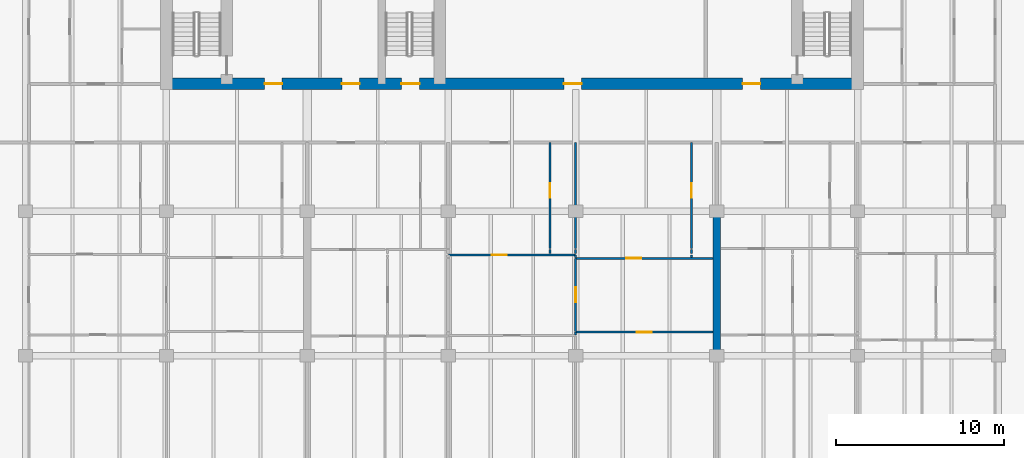
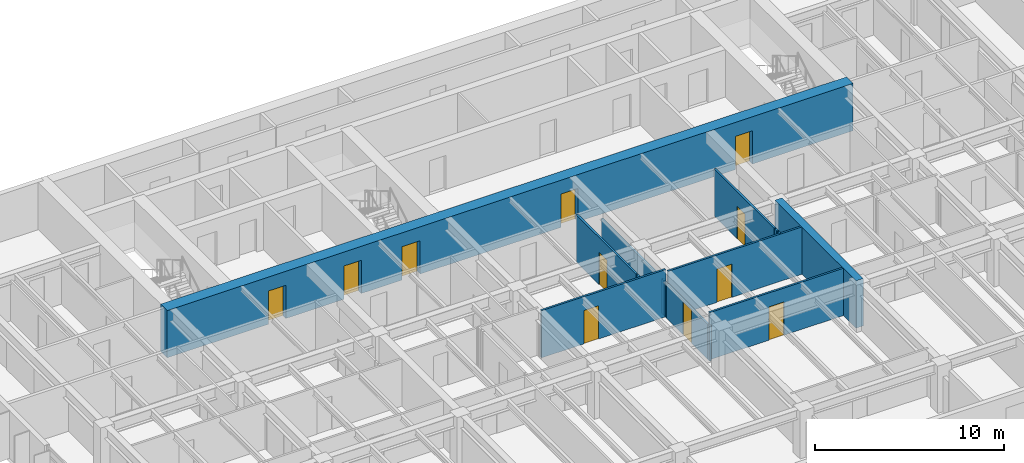
# One storey, part 11 of 19: 15 walls, 11 doors, 11 openings.
"""IFC4 building model written with IfcOpenShell, lengths in metres."""

from ifc_helpers import new_model, si_unit, direction, frame, frame_2d, origin, place, context, subcontext, project, spatial, rectangle, extrude, material, layer, layer_set, type_object, element, fill, save


model = new_model("IFC4")

# Units and contexts
model_context = context("Model", 3, precision=1e-05, world=origin(), true_north=direction((0.0, 1.0)))
body_context = subcontext(model_context, "Body", "Model", "MODEL_VIEW")
ifc_project = project(units=[si_unit("LENGTHUNIT", "METRE"), si_unit("AREAUNIT", "SQUARE_METRE"), si_unit("VOLUMEUNIT", "CUBIC_METRE"), si_unit("PLANEANGLEUNIT", "RADIAN"), si_unit("MASSUNIT", "GRAM", prefix="KILO")], contexts=[model_context])

# Site, building, storey
site_placement = place(None, origin())
site = spatial("IfcSite", under=ifc_project, at=site_placement, CompositionType="ELEMENT")
building_placement = place(site_placement, origin())
building = spatial("IfcBuilding", under=site, at=building_placement, Name="Caelmar Bay Residences", CompositionType="ELEMENT")
storey_placement = place(building_placement, frame((0.0, 0.0, 188.39990234375)))
storey = spatial("IfcBuildingStorey", under=building, at=storey_placement, Name="L52", CompositionType="ELEMENT", Elevation=188.39990234375)

# Wall, openings, doors
ifc_material_1 = material(Name="Concrete f'c 55 MPa (8,000 psi)", Category="concrete")
ifc_layer_1 = layer(ifc_material_1, 0.699951171875)
ifc_layer_set_1 = layer_set([ifc_layer_1], Name="Concrete f'c 55 MPa (8,000 psi)")
wall_type_1 = type_object("IfcWallType", Name="SW-COR-700", PredefinedType="SHEAR", material=ifc_layer_set_1)
wall_1_placement = place(storey_placement, frame((17.949951171875, 37.0, 0.0), z_axis=(0.0, 0.0, 1.0), x_axis=(1.0, 0.0, 0.0)))
wall_1 = element("IfcWall", 1, at=wall_1_placement, inside=storey, type_object=wall_type_1, Name="L52 Rear Core South Shear Wall", PredefinedType="SHEAR", context=body_context, shape_type="SweptSolid", body=[
    extrude(rectangle(XDim=41.900146484375, YDim=0.699951171875, at=frame_2d((20.9501953125, 0.0))), origin(), (0.0, 0.0, 1.0), 3.050048828125),
])
opening_1_placement = place(wall_1_placement, frame((14.35009765625, 0.0, 0.0)))
opening_1 = element("IfcOpeningElement", 2, at=opening_1_placement, cuts=wall_1, Name="Opening D-L52-105", PredefinedType="OPENING", context=body_context, shape_type="SweptSolid", body=[
    extrude(rectangle(XDim=1.10009765625, YDim=2.14990234375, at=frame_2d((0.550048828125, 1.074951171875))), frame((0.0, 0.35986328125, 0.0), z_axis=(0.0, -1.0, 0.0), x_axis=(1.0, 0.0, 0.0)), (0.0, 0.0, 1.0), 0.719970703125),
])
opening_2_placement = place(wall_1_placement, frame((6.199951171875, 0.0, 0.0)))
opening_2 = element("IfcOpeningElement", 3, at=opening_2_placement, cuts=wall_1, Name="Opening D-L52-106", PredefinedType="OPENING", context=body_context, shape_type="SweptSolid", body=[
    extrude(rectangle(XDim=1.050048828125, YDim=2.14990234375, at=frame_2d((0.52490234375, 1.074951171875))), frame((0.0, 0.35986328125, 0.0), z_axis=(0.0, -1.0, 0.0), x_axis=(1.0, 0.0, 0.0)), (0.0, 0.0, 1.0), 0.719970703125),
])
opening_3_placement = place(wall_1_placement, frame((34.699951171875, 0.0, 0.0)))
opening_3 = element("IfcOpeningElement", 4, at=opening_3_placement, cuts=wall_1, Name="Opening D-L52-109", PredefinedType="OPENING", context=body_context, shape_type="SweptSolid", body=[
    extrude(rectangle(XDim=1.050048828125, YDim=2.14990234375, at=frame_2d((0.52490234375, 1.074951171875))), frame((0.0, 0.35986328125, 0.0), z_axis=(0.0, -1.0, 0.0), x_axis=(1.0, 0.0, 0.0)), (0.0, 0.0, 1.0), 0.719970703125),
])
opening_4_placement = place(wall_1_placement, frame((10.8125, 0.0, 0.0)))
opening_4 = element("IfcOpeningElement", 5, at=opening_4_placement, cuts=wall_1, Name="Opening D-L52-112", PredefinedType="OPENING", context=body_context, shape_type="SweptSolid", body=[
    extrude(rectangle(XDim=1.050048828125, YDim=2.14990234375, at=frame_2d((0.52490234375, 1.074951171875))), frame((0.0, 0.35986328125, 0.0), z_axis=(0.0, -1.0, 0.0), x_axis=(1.0, 0.0, 0.0)), (0.0, 0.0, 1.0), 0.719970703125),
])
opening_5_placement = place(wall_1_placement, frame((24.050048828125, 0.0, 0.0)))
opening_5 = element("IfcOpeningElement", 6, at=opening_5_placement, cuts=wall_1, Name="Opening D-L52-113", PredefinedType="OPENING", context=body_context, shape_type="SweptSolid", body=[
    extrude(rectangle(XDim=1.050048828125, YDim=2.14990234375, at=frame_2d((0.52490234375, 1.074951171875))), frame((0.0, 0.35986328125, 0.0), z_axis=(0.0, -1.0, 0.0), x_axis=(1.0, 0.0, 0.0)), (0.0, 0.0, 1.0), 0.719970703125),
])
ifc_material_2 = material(Name="Fire-rated steel and walnut architectural door assembly", Category="steel")
ifc_layer_2 = layer(ifc_material_2, 0.050048828125)
ifc_layer_set_2 = layer_set([ifc_layer_2], Name="Fire-rated steel and walnut architectural door assembly")
door_type_1 = type_object("IfcDoorType", Name="D-FSAE-1050", OperationType="NOTDEFINED", PredefinedType="DOOR", material=ifc_layer_set_2)
door_1_placement = place(opening_2_placement, origin())
door_1 = element("IfcDoor", 7, at=door_1_placement, inside=storey, type_object=door_type_1, Name="L52 Firefighting Lobby West Door", OperationType="SINGLE_SWING_RIGHT", OverallHeight=2.14990234375, OverallWidth=1.050048828125, PredefinedType="DOOR", context=body_context, shape_type="SweptSolid", body=[
    extrude(rectangle(XDim=1.050048828125, YDim=2.14990234375, at=frame_2d((0.52490234375, 1.074951171875))), frame((0.0, 0.02490234375, 0.0), z_axis=(0.0, -1.0, 0.0), x_axis=(1.0, 0.0, 0.0)), (0.0, 0.0, 1.0), 0.050048828125),
])
fill(opening_2, door_1)
door_2_placement = place(opening_3_placement, origin())
door_2 = element("IfcDoor", 8, at=door_2_placement, inside=storey, type_object=door_type_1, Name="L52 Firefighting Lobby East Door", OperationType="SINGLE_SWING_LEFT", OverallHeight=2.14990234375, OverallWidth=1.050048828125, PredefinedType="DOOR", context=body_context, shape_type="SweptSolid", body=[
    extrude(rectangle(XDim=1.050048828125, YDim=2.14990234375, at=frame_2d((0.52490234375, 1.074951171875))), frame((0.0, 0.02490234375, 0.0), z_axis=(0.0, -1.0, 0.0), x_axis=(1.0, 0.0, 0.0)), (0.0, 0.0, 1.0), 0.050048828125),
])
fill(opening_3, door_2)
door_3_placement = place(opening_4_placement, origin())
door_3 = element("IfcDoor", 9, at=door_3_placement, inside=storey, type_object=door_type_1, Name="L52 West Lift Lobby Door", OperationType="SINGLE_SWING_RIGHT", OverallHeight=2.14990234375, OverallWidth=1.050048828125, PredefinedType="DOOR", context=body_context, shape_type="SweptSolid", body=[
    extrude(rectangle(XDim=1.050048828125, YDim=2.14990234375, at=frame_2d((0.52490234375, 1.074951171875))), frame((0.0, 0.02490234375, 0.0), z_axis=(0.0, -1.0, 0.0), x_axis=(1.0, 0.0, 0.0)), (0.0, 0.0, 1.0), 0.050048828125),
])
fill(opening_4, door_3)
door_4_placement = place(opening_5_placement, origin())
door_4 = element("IfcDoor", 10, at=door_4_placement, inside=storey, type_object=door_type_1, Name="L52 Passenger Lift Lobby Door", OperationType="SINGLE_SWING_LEFT", OverallHeight=2.14990234375, OverallWidth=1.050048828125, PredefinedType="DOOR", context=body_context, shape_type="SweptSolid", body=[
    extrude(rectangle(XDim=1.050048828125, YDim=2.14990234375, at=frame_2d((0.52490234375, 1.074951171875))), frame((0.0, 0.02490234375, 0.0), z_axis=(0.0, -1.0, 0.0), x_axis=(1.0, 0.0, 0.0)), (0.0, 0.0, 1.0), 0.050048828125),
])
fill(opening_5, door_4)
ifc_layer_3 = layer(ifc_material_2, 0.050048828125)
ifc_layer_set_3 = layer_set([ifc_layer_3], Name="Fire-rated steel and walnut architectural door assembly")
door_type_2 = type_object("IfcDoorType", Name="D-STAIR-1100", OperationType="NOTDEFINED", PredefinedType="DOOR", material=ifc_layer_set_3)
door_5_placement = place(opening_1_placement, origin())
door_5 = element("IfcDoor", 11, at=door_5_placement, inside=storey, type_object=door_type_2, Name="L52 Exit Stair ST3 Door", OperationType="SINGLE_SWING_LEFT", OverallHeight=2.14990234375, OverallWidth=1.10009765625, PredefinedType="DOOR", context=body_context, shape_type="SweptSolid", body=[
    extrude(rectangle(XDim=1.10009765625, YDim=2.14990234375, at=frame_2d((0.550048828125, 1.074951171875))), frame((0.0, 0.02490234375, 0.0), z_axis=(0.0, -1.0, 0.0), x_axis=(1.0, 0.0, 0.0)), (0.0, 0.0, 1.0), 0.050048828125),
])
fill(opening_1, door_5)

# Walls
ifc_layer_4 = layer(ifc_material_1, 0.449951171875)
ifc_layer_set_4 = layer_set([ifc_layer_4], Name="Concrete f'c 55 MPa (8,000 psi)")
wall_type_2 = type_object("IfcWallType", Name="SW-XSLB-450", PredefinedType="SHEAR", material=ifc_layer_set_4)
wall_2_placement = place(storey_placement, frame((51.10009765625, 20.800048828125, 0.0), z_axis=(0.0, 0.0, 1.0), x_axis=(0.0, 1.0, 0.0)))
element("IfcWall", 12, at=wall_2_placement, inside=storey, type_object=wall_type_2, Name="L52 Transverse Cross-Slab Shear Wall E8", PredefinedType="SHEAR", context=body_context, shape_type="SweptSolid", body=[
    extrude(rectangle(XDim=8.599853515625, YDim=0.449951171875, at=frame_2d((4.2998046875, 0.0))), origin(), (0.0, 0.0, 1.0), 3.050048828125),
])
ifc_material_3 = material(Name="Acoustic metal-stud gypsum partition 120 mm")
ifc_layer_5 = layer(ifc_material_3, 0.1201171875)
ifc_layer_set_5 = layer_set([ifc_layer_5], Name="Acoustic metal-stud gypsum partition 120 mm")
wall_type_3 = type_object("IfcWallType", Name="W-PRT-120", PredefinedType="PARTITIONING", material=ifc_layer_set_5)
wall_3_placement = place(storey_placement, frame((41.1630859375, 26.8798828125, 0.0), z_axis=(0.0, 0.0, 1.0), x_axis=(0.0, 1.0, 0.0)))
element("IfcWall", 13, at=wall_3_placement, inside=storey, type_object=wall_type_3, Name="L52 Partition Wall V048", PredefinedType="PARTITIONING", context=body_context, shape_type="SweptSolid", body=[
    extrude(rectangle(XDim=0.240234375, YDim=0.1201171875, at=frame_2d((0.1201171875, 0.0))), origin(), (0.0, 0.0, 1.0), 3.050048828125),
])

# Wall, opening, door
wall_4_placement = place(storey_placement, frame((41.1630859375, 27.179931640625, 0.0), z_axis=(0.0, 0.0, 1.0), x_axis=(0.0, 1.0, 0.0)))
wall_4 = element("IfcWall", 14, at=wall_4_placement, inside=storey, type_object=wall_type_3, Name="L52 Partition Wall V049", PredefinedType="PARTITIONING", context=body_context, shape_type="SweptSolid", body=[
    extrude(rectangle(XDim=6.320068359375, YDim=0.1201171875, at=frame_2d((3.16015625, 0.0))), origin(), (0.0, 0.0, 1.0), 3.050048828125),
])
opening_6_placement = place(wall_4_placement, frame((3.034912109375, 0.0, 0.0)))
opening_6 = element("IfcOpeningElement", 15, at=opening_6_placement, cuts=wall_4, Name="Opening D-L52-140", PredefinedType="OPENING", context=body_context, shape_type="SweptSolid", body=[
    extrude(rectangle(XDim=0.85009765625, YDim=2.10009765625, at=frame_2d((0.425048828125, 1.050048828125))), frame((0.0, 0.070068359375, 0.0), z_axis=(0.0, -1.0, 0.0), x_axis=(1.0, 0.0, 0.0)), (0.0, 0.0, 1.0), 0.14013671875),
])
ifc_material_4 = material(Name="Solid walnut timber interior door leaf and frame", Category="wood")
ifc_layer_6 = layer(ifc_material_4, 0.050048828125)
ifc_layer_set_6 = layer_set([ifc_layer_6], Name="Solid walnut timber interior door leaf and frame")
door_type_3 = type_object("IfcDoorType", Name="D-BATH-850", OperationType="NOTDEFINED", PredefinedType="DOOR", material=ifc_layer_set_6)
door_6_placement = place(opening_6_placement, origin())
door_6 = element("IfcDoor", 16, at=door_6_placement, inside=storey, type_object=door_type_3, Name="L52 Residence 03 Guest Bathroom Door", OperationType="SINGLE_SWING_RIGHT", OverallHeight=2.10009765625, OverallWidth=0.85009765625, PredefinedType="DOOR", context=body_context, shape_type="SweptSolid", body=[
    extrude(rectangle(XDim=0.85009765625, YDim=2.10009765625, at=frame_2d((0.425048828125, 1.050048828125))), frame((0.0, 0.02490234375, 0.0), z_axis=(0.0, -1.0, 0.0), x_axis=(1.0, 0.0, 0.0)), (0.0, 0.0, 1.0), 0.050048828125),
])
fill(opening_6, door_6)

# Wall
wall_5_placement = place(storey_placement, frame((42.699951171875, 22.0400390625, 0.0), z_axis=(0.0, 0.0, 1.0), x_axis=(0.0, 1.0, 0.0)))
element("IfcWall", 17, at=wall_5_placement, inside=storey, type_object=wall_type_3, Name="L52 Partition Wall V053", PredefinedType="PARTITIONING", context=body_context, shape_type="SweptSolid", body=[
    extrude(rectangle(XDim=0.159912109375, YDim=0.1201171875, at=frame_2d((0.080078125, 0.0))), origin(), (0.0, 0.0, 1.0), 2.26318359375),
])

# Wall, opening, door
wall_6_placement = place(storey_placement, frame((42.699951171875, 22.239990234375, 0.0), z_axis=(0.0, 0.0, 1.0), x_axis=(0.0, 1.0, 0.0)))
wall_6 = element("IfcWall", 18, at=wall_6_placement, inside=storey, type_object=wall_type_3, Name="L52 Partition Wall V054", PredefinedType="PARTITIONING", context=body_context, shape_type="SweptSolid", body=[
    extrude(rectangle(XDim=4.360107421875, YDim=0.1201171875, at=frame_2d((2.18017578125, 0.0))), origin(), (0.0, 0.0, 1.0), 2.26318359375),
])
opening_7_placement = place(wall_6_placement, frame((1.72998046875, 0.0, 0.0)))
opening_7 = element("IfcOpeningElement", 19, at=opening_7_placement, cuts=wall_6, Name="Opening D-L52-143", PredefinedType="OPENING", context=body_context, shape_type="SweptSolid", body=[
    extrude(rectangle(XDim=0.89990234375, YDim=2.14990234375, at=frame_2d((0.449951171875, 1.074951171875))), frame((0.0, 0.070068359375, 0.0), z_axis=(0.0, -1.0, 0.0), x_axis=(1.0, 0.0, 0.0)), (0.0, 0.0, 1.0), 0.14013671875),
])
ifc_layer_7 = layer(ifc_material_4, 0.050048828125)
ifc_layer_set_7 = layer_set([ifc_layer_7], Name="Solid walnut timber interior door leaf and frame")
door_type_4 = type_object("IfcDoorType", Name="D-ROOM-900", OperationType="NOTDEFINED", PredefinedType="DOOR", material=ifc_layer_set_7)
door_7_placement = place(opening_7_placement, origin())
door_7 = element("IfcDoor", 20, at=door_7_placement, inside=storey, type_object=door_type_4, Name="L52 Residence 03 Conference Study 1 Door", OperationType="SINGLE_SWING_LEFT", OverallHeight=2.14990234375, OverallWidth=0.89990234375, PredefinedType="DOOR", context=body_context, shape_type="SweptSolid", body=[
    extrude(rectangle(XDim=0.89990234375, YDim=2.14990234375, at=frame_2d((0.449951171875, 1.074951171875))), frame((0.0, 0.02490234375, 0.0), z_axis=(0.0, -1.0, 0.0), x_axis=(1.0, 0.0, 0.0)), (0.0, 0.0, 1.0), 0.050048828125),
])
fill(opening_7, door_7)

# Walls
wall_7_placement = place(storey_placement, frame((42.699951171875, 26.639892578125, 0.0), z_axis=(0.0, 0.0, 1.0), x_axis=(0.0, 1.0, 0.0)))
element("IfcWall", 21, at=wall_7_placement, inside=storey, type_object=wall_type_3, Name="L52 Partition Wall V055", PredefinedType="PARTITIONING", context=body_context, shape_type="SweptSolid", body=[
    extrude(rectangle(XDim=0.16015625, YDim=0.1201171875, at=frame_2d((0.080078125, 0.0))), origin(), (0.0, 0.0, 1.0), 2.26318359375),
])
wall_8_placement = place(storey_placement, frame((42.699951171875, 26.8798828125, 0.0), z_axis=(0.0, 0.0, 1.0), x_axis=(0.0, 1.0, 0.0)))
element("IfcWall", 22, at=wall_8_placement, inside=storey, type_object=wall_type_3, Name="L52 Partition Wall V056", PredefinedType="PARTITIONING", context=body_context, shape_type="SweptSolid", body=[
    extrude(rectangle(XDim=0.240234375, YDim=0.1201171875, at=frame_2d((0.1201171875, 0.0))), origin(), (0.0, 0.0, 1.0), 2.26318359375),
])
wall_9_placement = place(storey_placement, frame((42.699951171875, 27.179931640625, 0.0), z_axis=(0.0, 0.0, 1.0), x_axis=(0.0, 1.0, 0.0)))
element("IfcWall", 23, at=wall_9_placement, inside=storey, type_object=wall_type_3, Name="L52 Partition Wall V057", PredefinedType="PARTITIONING", context=body_context, shape_type="SweptSolid", body=[
    extrude(rectangle(XDim=6.320068359375, YDim=0.1201171875, at=frame_2d((3.16015625, 0.0))), origin(), (0.0, 0.0, 1.0), 2.26318359375),
])
wall_10_placement = place(storey_placement, frame((49.60009765625, 26.639892578125, 0.0), z_axis=(0.0, 0.0, 1.0), x_axis=(0.0, 1.0, 0.0)))
element("IfcWall", 24, at=wall_10_placement, inside=storey, type_object=wall_type_3, Name="L52 Partition Wall V060", PredefinedType="PARTITIONING", context=body_context, shape_type="SweptSolid", body=[
    extrude(rectangle(XDim=0.16015625, YDim=0.1201171875, at=frame_2d((0.080078125, 0.0))), origin(), (0.0, 0.0, 1.0), 3.050048828125),
])
wall_11_placement = place(storey_placement, frame((49.60009765625, 26.8798828125, 0.0), z_axis=(0.0, 0.0, 1.0), x_axis=(0.0, 1.0, 0.0)))
element("IfcWall", 25, at=wall_11_placement, inside=storey, type_object=wall_type_3, Name="L52 Partition Wall V061", PredefinedType="PARTITIONING", context=body_context, shape_type="SweptSolid", body=[
    extrude(rectangle(XDim=0.240234375, YDim=0.1201171875, at=frame_2d((0.1201171875, 0.0))), origin(), (0.0, 0.0, 1.0), 3.050048828125),
])

# Wall, opening, door
wall_12_placement = place(storey_placement, frame((49.60009765625, 27.179931640625, 0.0), z_axis=(0.0, 0.0, 1.0), x_axis=(0.0, 1.0, 0.0)))
wall_12 = element("IfcWall", 26, at=wall_12_placement, inside=storey, type_object=wall_type_3, Name="L52 Partition Wall V062", PredefinedType="PARTITIONING", context=body_context, shape_type="SweptSolid", body=[
    extrude(rectangle(XDim=6.320068359375, YDim=0.1201171875, at=frame_2d((3.16015625, 0.0))), origin(), (0.0, 0.0, 1.0), 3.050048828125),
])
opening_8_placement = place(wall_12_placement, frame((3.034912109375, 0.0, 0.0)))
opening_8 = element("IfcOpeningElement", 27, at=opening_8_placement, cuts=wall_12, Name="Opening D-L52-145", PredefinedType="OPENING", context=body_context, shape_type="SweptSolid", body=[
    extrude(rectangle(XDim=0.85009765625, YDim=2.10009765625, at=frame_2d((0.425048828125, 1.050048828125))), frame((0.0, 0.070068359375, 0.0), z_axis=(0.0, -1.0, 0.0), x_axis=(1.0, 0.0, 0.0)), (0.0, 0.0, 1.0), 0.14013671875),
])
door_8_placement = place(opening_8_placement, origin())
door_8 = element("IfcDoor", 28, at=door_8_placement, inside=storey, type_object=door_type_3, Name="L52 Residence 03 En-Suite Bathroom 1 Door", OperationType="SINGLE_SWING_LEFT", OverallHeight=2.10009765625, OverallWidth=0.85009765625, PredefinedType="DOOR", context=body_context, shape_type="SweptSolid", body=[
    extrude(rectangle(XDim=0.85009765625, YDim=2.10009765625, at=frame_2d((0.425048828125, 1.050048828125))), frame((0.0, 0.02490234375, 0.0), z_axis=(0.0, -1.0, 0.0), x_axis=(1.0, 0.0, 0.0)), (0.0, 0.0, 1.0), 0.050048828125),
])
fill(opening_8, door_8)

wall_13_placement = place(storey_placement, frame((42.705078125, 22.199951171875, 0.0), z_axis=(0.0, 0.0, 1.0), x_axis=(1.0, 0.0, 0.0)))
wall_13 = element("IfcWall", 29, at=wall_13_placement, inside=storey, type_object=wall_type_3, Name="L52 Partition Wall H113", PredefinedType="PARTITIONING", context=body_context, shape_type="SweptSolid", body=[
    extrude(rectangle(XDim=8.1748046875, YDim=0.1201171875, at=frame_2d((4.08740234375, 0.0))), origin(), (0.0, 0.0, 1.0), 3.050048828125),
])
opening_9_placement = place(wall_13_placement, frame((3.637451171875, 0.0, 0.0)))
opening_9 = element("IfcOpeningElement", 30, at=opening_9_placement, cuts=wall_13, Name="Opening D-L52-146", PredefinedType="OPENING", context=body_context, shape_type="SweptSolid", body=[
    extrude(rectangle(XDim=0.89990234375, YDim=2.14990234375, at=frame_2d((0.449951171875, 1.074951171875))), frame((0.0, 0.070068359375, 0.0), z_axis=(0.0, -1.0, 0.0), x_axis=(1.0, 0.0, 0.0)), (0.0, 0.0, 1.0), 0.14013671875),
])
door_9_placement = place(opening_9_placement, origin())
door_9 = element("IfcDoor", 31, at=door_9_placement, inside=storey, type_object=door_type_4, Name="L52 Residence 03 Penthouse Sitting Salon 1 Door", OperationType="SINGLE_SWING_RIGHT", OverallHeight=2.14990234375, OverallWidth=0.89990234375, PredefinedType="DOOR", context=body_context, shape_type="SweptSolid", body=[
    extrude(rectangle(XDim=0.89990234375, YDim=2.14990234375, at=frame_2d((0.449951171875, 1.074951171875))), frame((0.0, 0.02490234375, 0.0), z_axis=(0.0, -1.0, 0.0), x_axis=(1.0, 0.0, 0.0)), (0.0, 0.0, 1.0), 0.050048828125),
])
fill(opening_9, door_9)

wall_14_placement = place(storey_placement, frame((42.699951171875, 26.60009765625, 0.0), z_axis=(0.0, 0.0, 1.0), x_axis=(1.0, 0.0, 0.0)))
wall_14 = element("IfcWall", 32, at=wall_14_placement, inside=storey, type_object=wall_type_3, Name="L52 Partition Wall H115", PredefinedType="PARTITIONING", context=body_context, shape_type="SweptSolid", body=[
    extrude(rectangle(XDim=8.179931640625, YDim=0.1201171875, at=frame_2d((4.08984375, 0.0))), origin(), (0.0, 0.0, 1.0), 3.050048828125),
])
opening_10_placement = place(wall_14_placement, frame((3.0, 0.0, 0.0)))
opening_10 = element("IfcOpeningElement", 33, at=opening_10_placement, cuts=wall_14, Name="Opening D-L52-144", PredefinedType="OPENING", context=body_context, shape_type="SweptSolid", body=[
    extrude(rectangle(XDim=0.89990234375, YDim=2.14990234375, at=frame_2d((0.449951171875, 1.074951171875))), frame((0.0, 0.070068359375, 0.0), z_axis=(0.0, -1.0, 0.0), x_axis=(1.0, 0.0, 0.0)), (0.0, 0.0, 1.0), 0.14013671875),
])
door_10_placement = place(opening_10_placement, origin())
door_10 = element("IfcDoor", 34, at=door_10_placement, inside=storey, type_object=door_type_4, Name="L52 Residence 03 Private Meeting Room 1 Door", OperationType="SINGLE_SWING_RIGHT", OverallHeight=2.14990234375, OverallWidth=0.89990234375, PredefinedType="DOOR", context=body_context, shape_type="SweptSolid", body=[
    extrude(rectangle(XDim=0.89990234375, YDim=2.14990234375, at=frame_2d((0.449951171875, 1.074951171875))), frame((0.0, 0.02490234375, 0.0), z_axis=(0.0, -1.0, 0.0), x_axis=(1.0, 0.0, 0.0)), (0.0, 0.0, 1.0), 0.050048828125),
])
fill(opening_10, door_10)

wall_15_placement = place(storey_placement, frame((35.10009765625, 26.800048828125, 0.0), z_axis=(0.0, 0.0, 1.0), x_axis=(1.0, 0.0, 0.0)))
wall_15 = element("IfcWall", 35, at=wall_15_placement, inside=storey, type_object=wall_type_3, Name="L52 Partition Wall H117", PredefinedType="PARTITIONING", context=body_context, shape_type="SweptSolid", body=[
    extrude(rectangle(XDim=7.594970703125, YDim=0.1201171875, at=frame_2d((3.79736328125, 0.0))), origin(), (0.0, 0.0, 1.0), 3.050048828125),
])
opening_11_placement = place(wall_15_placement, frame((2.58154296875, 0.0, 0.0)))
opening_11 = element("IfcOpeningElement", 36, at=opening_11_placement, cuts=wall_15, Name="Opening D-L52-141", PredefinedType="OPENING", context=body_context, shape_type="SweptSolid", body=[
    extrude(rectangle(XDim=0.89990234375, YDim=2.14990234375, at=frame_2d((0.449951171875, 1.074951171875))), frame((0.0, 0.070068359375, 0.0), z_axis=(0.0, -1.0, 0.0), x_axis=(1.0, 0.0, 0.0)), (0.0, 0.0, 1.0), 0.14013671875),
])
door_11_placement = place(opening_11_placement, origin())
door_11 = element("IfcDoor", 37, at=door_11_placement, inside=storey, type_object=door_type_4, Name="L52 Residence 03 Kitchen Door", OperationType="SINGLE_SWING_LEFT", OverallHeight=2.14990234375, OverallWidth=0.89990234375, PredefinedType="DOOR", context=body_context, shape_type="SweptSolid", body=[
    extrude(rectangle(XDim=0.89990234375, YDim=2.14990234375, at=frame_2d((0.449951171875, 1.074951171875))), frame((0.0, 0.02490234375, 0.0), z_axis=(0.0, -1.0, 0.0), x_axis=(1.0, 0.0, 0.0)), (0.0, 0.0, 1.0), 0.050048828125),
])
fill(opening_11, door_11)

save(model, "model.ifc")
